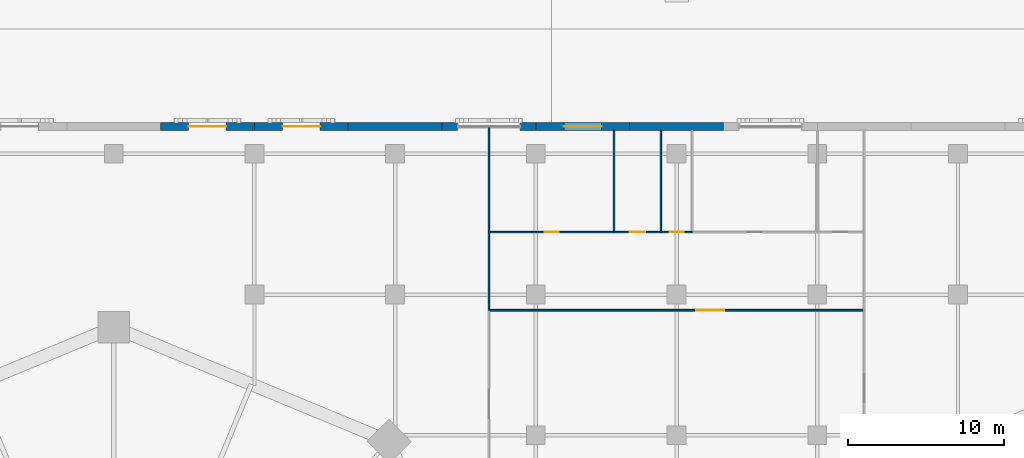
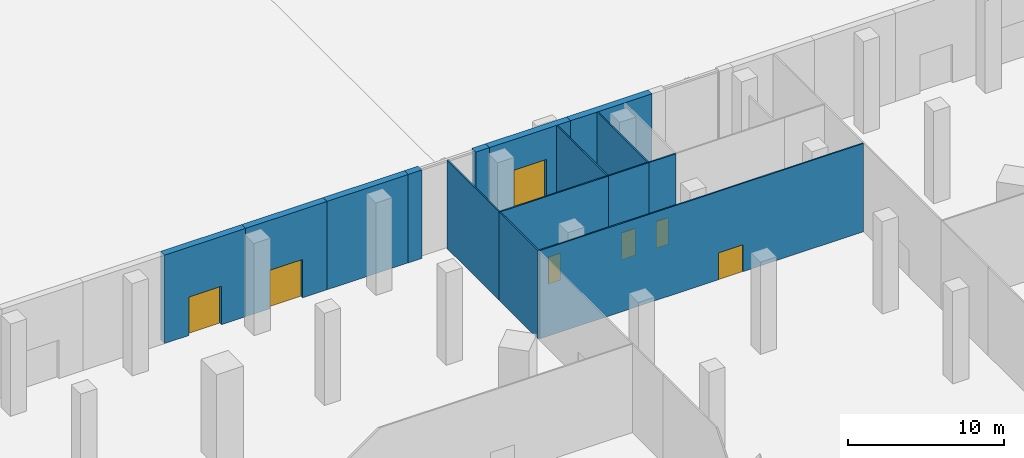
# One storey, part 26 of 48: 15 walls, 6 doors, 1 window, 7 openings.
"""IFC4 building model written with IfcOpenShell, lengths in metres."""

from ifc_helpers import new_model, si_unit, direction, frame, frame_2d, origin, place, context, subcontext, project, spatial, rectangle, extrude, material, layer, layer_set, type_object, element, fill, save


model = new_model("IFC4")

# Units and contexts
model_context = context("Model", 3, precision=1e-05, world=origin(), true_north=direction((0.0, 1.0)))
body_context = subcontext(model_context, "Body", "Model", "MODEL_VIEW")
ifc_project = project(units=[si_unit("LENGTHUNIT", "METRE"), si_unit("AREAUNIT", "SQUARE_METRE"), si_unit("VOLUMEUNIT", "CUBIC_METRE"), si_unit("PLANEANGLEUNIT", "RADIAN"), si_unit("MASSUNIT", "GRAM", prefix="KILO")], contexts=[model_context])

# Site, building, storey
site_placement = place(None, origin())
site = spatial("IfcSite", under=ifc_project, at=site_placement, CompositionType="ELEMENT")
building_placement = place(site_placement, origin())
building = spatial("IfcBuilding", under=site, at=building_placement, Name="Ogive Gate Towers", CompositionType="ELEMENT")
storey_placement = place(building_placement, origin())
storey = spatial("IfcBuildingStorey", under=building, at=storey_placement, Name="L00", CompositionType="ELEMENT", Elevation=0.0)

# Wall
ifc_material_1 = material(Name="Precast concrete C40/50", Category="concrete")
ifc_layer_1 = layer(ifc_material_1, 0.5)
ifc_layer_set_1 = layer_set([ifc_layer_1], Name="Arcade wall 500")
wall_type_1 = type_object("IfcWallType", Name="Arcade wall 500", PredefinedType="SOLIDWALL", material=ifc_layer_set_1)
wall_1_placement = place(storey_placement, frame((3.0, 37.75, 0.0), z_axis=(0.0, 0.0, 1.0), x_axis=(-1.0, 0.0, 0.0)))
element("IfcWall", 1, at=wall_1_placement, inside=storey, type_object=wall_type_1, Name="Podium wall", PredefinedType="SOLIDWALL", context=body_context, shape_type="SweptSolid", body=[
    extrude(rectangle(XDim=6.0, YDim=0.5, at=frame_2d((3.0, 0.0))), origin(), (0.0, 0.0, 1.0), 6.89990234375),
])

# Wall, opening, window
wall_2_placement = place(storey_placement, frame((-3.0, 37.75, 0.0), z_axis=(0.0, 0.0, 1.0), x_axis=(-1.0, 0.0, 0.0)))
wall_2 = element("IfcWall", 2, at=wall_2_placement, inside=storey, type_object=wall_type_1, Name="Podium wall", PredefinedType="SOLIDWALL", context=body_context, shape_type="SweptSolid", body=[
    extrude(rectangle(XDim=6.0, YDim=0.5, at=frame_2d((3.0, 0.0))), origin(), (0.0, 0.0, 1.0), 6.89990234375),
])
opening_1_placement = place(wall_2_placement, frame((1.800048828125, 0.0, 0.89990234375)))
opening_1 = element("IfcOpeningElement", 3, at=opening_1_placement, cuts=wall_2, Name="Opening WN4", PredefinedType="OPENING", context=body_context, shape_type="SweptSolid", body=[
    extrude(rectangle(XDim=2.39990234375, YDim=3.60009765625, at=frame_2d((1.199951171875, 1.800048828125))), frame((0.0, 0.260009765625, 0.0), z_axis=(0.0, -1.0, 0.0), x_axis=(1.0, 0.0, 0.0)), (0.0, 0.0, 1.0), 0.52001953125),
])
ifc_material_2 = material(Name="Clear glass", Category="glass")
window_type = type_object("IfcWindowType", Name="Arcade window 2400 x 3600", PartitioningType="SINGLE_PANEL", PredefinedType="WINDOW", material=ifc_material_2)
window_placement = place(opening_1_placement, origin())
window = element("IfcWindow", 4, at=window_placement, inside=storey, type_object=window_type, Name="Podium window", OverallHeight=3.60009765625, OverallWidth=2.39990234375, PartitioningType="SINGLE_PANEL", PredefinedType="WINDOW", context=body_context, shape_type="SweptSolid", body=[
    extrude(rectangle(XDim=2.39990234375, YDim=3.60009765625, at=frame_2d((1.199951171875, 1.800048828125))), frame((0.0, 0.030029296875, 0.0), z_axis=(0.0, -1.0, 0.0), x_axis=(1.0, 0.0, 0.0)), (0.0, 0.0, 1.0), 0.06005859375),
])
fill(opening_1, window)

# Walls
for number, where, z_axis, x_axis, name in (
    (5, (-9.0, 37.75, 0.0), (0.0, 0.0, 1.0), (-1.0, 0.0, 0.0), "Podium wall"),
    (6, (-14.0, 37.75, 0.0), (0.0, 0.0, 1.0), (-1.0, 0.0, 0.0), "Podium wall"),
):
    element("IfcWall", number, at=place(storey_placement, frame(where, z_axis=z_axis, x_axis=x_axis)), inside=storey, type_object=wall_type_1, Name=name, PredefinedType="SOLIDWALL", context=body_context, shape_type="SweptSolid", body=[
        extrude(rectangle(XDim=1.0, YDim=0.5, at=frame_2d((0.5, 0.0))), origin(), (0.0, 0.0, 1.0), 6.89990234375),
    ])
wall_3_placement = place(storey_placement, frame((-15.0, 37.75, 0.0), z_axis=(0.0, 0.0, 1.0), x_axis=(-1.0, 0.0, 0.0)))
element("IfcWall", 7, at=wall_3_placement, inside=storey, type_object=wall_type_1, Name="Podium wall", PredefinedType="SOLIDWALL", context=body_context, shape_type="SweptSolid", body=[
    extrude(rectangle(XDim=6.0, YDim=0.5, at=frame_2d((3.0, 0.0))), origin(), (0.0, 0.0, 1.0), 6.89990234375),
])

# Wall, opening, door
wall_4_placement = place(storey_placement, frame((-21.0, 37.75, 0.0), z_axis=(0.0, 0.0, 1.0), x_axis=(-1.0, 0.0, 0.0)))
wall_4 = element("IfcWall", 8, at=wall_4_placement, inside=storey, type_object=wall_type_1, Name="Podium wall", PredefinedType="SOLIDWALL", context=body_context, shape_type="SweptSolid", body=[
    extrude(rectangle(XDim=6.0, YDim=0.5, at=frame_2d((3.0, 0.0))), origin(), (0.0, 0.0, 1.0), 6.89990234375),
])
opening_2_placement = place(wall_4_placement, frame((1.800048828125, 0.0, 0.0)))
opening_2 = element("IfcOpeningElement", 9, at=opening_2_placement, cuts=wall_4, Name="Opening ED2-L00-07", PredefinedType="OPENING", context=body_context, shape_type="SweptSolid", body=[
    extrude(rectangle(XDim=2.39990234375, YDim=3.0, at=frame_2d((1.199951171875, 1.5))), frame((0.0, 0.260009765625, 0.0), z_axis=(0.0, -1.0, 0.0), x_axis=(1.0, 0.0, 0.0)), (0.0, 0.0, 1.0), 0.52001953125),
])
ifc_material_3 = material(Name="Pale metal aluminium", Category="aluminium")
door_type_1 = type_object("IfcDoorType", Name="Entrance door 2400 x 3000", OperationType="DOUBLE_DOOR_SINGLE_SWING", PredefinedType="DOOR", material=ifc_material_3)
door_1_placement = place(opening_2_placement, origin())
door_1 = element("IfcDoor", 10, at=door_1_placement, inside=storey, type_object=door_type_1, Name="Exterior door", OperationType="SINGLE_SWING_LEFT", OverallHeight=3.0, OverallWidth=2.39990234375, PredefinedType="DOOR", context=body_context, shape_type="SweptSolid", body=[
    extrude(rectangle(XDim=2.39990234375, YDim=3.0, at=frame_2d((1.199951171875, 1.5))), frame((0.0, 0.02490234375, 0.0), z_axis=(0.0, -1.0, 0.0), x_axis=(1.0, 0.0, 0.0)), (0.0, 0.0, 1.0), 0.050048828125),
])
fill(opening_2, door_1)

wall_5_placement = place(storey_placement, frame((-27.0, 37.75, 0.0), z_axis=(0.0, 0.0, 1.0), x_axis=(-1.0, 0.0, 0.0)))
wall_5 = element("IfcWall", 11, at=wall_5_placement, inside=storey, type_object=wall_type_1, Name="Podium wall", PredefinedType="SOLIDWALL", context=body_context, shape_type="SweptSolid", body=[
    extrude(rectangle(XDim=6.0, YDim=0.5, at=frame_2d((3.0, 0.0))), origin(), (0.0, 0.0, 1.0), 6.89990234375),
])
opening_3_placement = place(wall_5_placement, frame((1.800048828125, 0.0, 0.0)))
opening_3 = element("IfcOpeningElement", 12, at=opening_3_placement, cuts=wall_5, Name="Opening ED2-L00-08", PredefinedType="OPENING", context=body_context, shape_type="SweptSolid", body=[
    extrude(rectangle(XDim=2.39990234375, YDim=3.0, at=frame_2d((1.199951171875, 1.5))), frame((0.0, 0.260009765625, 0.0), z_axis=(0.0, -1.0, 0.0), x_axis=(1.0, 0.0, 0.0)), (0.0, 0.0, 1.0), 0.52001953125),
])
door_2_placement = place(opening_3_placement, origin())
door_2 = element("IfcDoor", 13, at=door_2_placement, inside=storey, type_object=door_type_1, Name="Exterior door", OperationType="SINGLE_SWING_LEFT", OverallHeight=3.0, OverallWidth=2.39990234375, PredefinedType="DOOR", context=body_context, shape_type="SweptSolid", body=[
    extrude(rectangle(XDim=2.39990234375, YDim=3.0, at=frame_2d((1.199951171875, 1.5))), frame((0.0, 0.02490234375, 0.0), z_axis=(0.0, -1.0, 0.0), x_axis=(1.0, 0.0, 0.0)), (0.0, 0.0, 1.0), 0.050048828125),
])
fill(opening_3, door_2)

ifc_material_4 = material(Name="Gypsum board partition")
ifc_layer_2 = layer(ifc_material_4, 0.10009765625)
ifc_layer_set_2 = layer_set([ifc_layer_2], Name="Partition wall 100")
wall_type_2 = type_object("IfcWallType", Name="Partition wall 100", PredefinedType="PARTITIONING", material=ifc_layer_set_2)
wall_6_placement = place(storey_placement, frame((-11.949951171875, 26.0, 0.0), z_axis=(0.0, 0.0, 1.0), x_axis=(1.0, 0.0, 0.0)))
wall_6 = element("IfcWall", 14, at=wall_6_placement, inside=storey, type_object=wall_type_2, Name="L00 partition 027", PredefinedType="PARTITIONING", context=body_context, shape_type="SweptSolid", body=[
    extrude(rectangle(XDim=23.89990234375, YDim=0.10009765625, at=frame_2d((11.949951171875, 0.0))), origin(), (0.0, 0.0, 1.0), 6.89990234375),
])
opening_4_placement = place(wall_6_placement, frame((13.199951171875, 0.0, 0.0)))
opening_4 = element("IfcOpeningElement", 15, at=opening_4_placement, cuts=wall_6, Name="Opening PO122", PredefinedType="OPENING", context=body_context, shape_type="SweptSolid", body=[
    extrude(rectangle(XDim=1.800048828125, YDim=2.10009765625, at=frame_2d((0.89990234375, 1.050048828125))), frame((0.0, 0.06005859375, 0.0), z_axis=(0.0, -1.0, 0.0), x_axis=(1.0, 0.0, 0.0)), (0.0, 0.0, 1.0), 0.1201171875),
])
ifc_material_5 = material(Name="Timber door", Category="wood")
door_type_2 = type_object("IfcDoorType", Name="Double door 1800 x 2100", OperationType="NOTDEFINED", PredefinedType="DOOR", material=ifc_material_5)
door_3_placement = place(opening_4_placement, origin())
door_3 = element("IfcDoor", 16, at=door_3_placement, inside=storey, type_object=door_type_2, Name="Door PO122", OperationType="DOUBLE_DOOR_DOUBLE_SWING", OverallHeight=2.10009765625, OverallWidth=1.800048828125, PredefinedType="DOOR", context=body_context, shape_type="SweptSolid", body=[
    extrude(rectangle(XDim=1.800048828125, YDim=2.10009765625, at=frame_2d((0.89990234375, 1.050048828125))), frame((0.0, 0.02490234375, 0.0), z_axis=(0.0, -1.0, 0.0), x_axis=(1.0, 0.0, 0.0)), (0.0, 0.0, 1.0), 0.050048828125),
])
fill(opening_4, door_3)

# Walls
wall_7_placement = place(storey_placement, frame((-12.0, 26.0, 0.0), z_axis=(0.0, 0.0, 1.0), x_axis=(0.0, 1.0, 0.0)))
element("IfcWall", 17, at=wall_7_placement, inside=storey, type_object=wall_type_2, Name="L00 partition 048", PredefinedType="PARTITIONING", context=body_context, shape_type="SweptSolid", body=[
    extrude(rectangle(XDim=5.0, YDim=0.10009765625, at=frame_2d((2.5, 0.0))), origin(), (0.0, 0.0, 1.0), 6.89990234375),
])
wall_8_placement = place(storey_placement, frame((-12.0, 31.0, 0.0), z_axis=(0.0, 0.0, 1.0), x_axis=(0.0, 1.0, 0.0)))
element("IfcWall", 18, at=wall_8_placement, inside=storey, type_object=wall_type_2, Name="L00 partition 049", PredefinedType="PARTITIONING", context=body_context, shape_type="SweptSolid", body=[
    extrude(rectangle(XDim=6.679931640625, YDim=0.10009765625, at=frame_2d((3.33984375, 0.0))), origin(), (0.0, 0.0, 1.0), 6.89990234375),
])

# Wall, opening, door
wall_9_placement = place(storey_placement, frame((-11.949951171875, 31.0, 0.0), z_axis=(0.0, 0.0, 1.0), x_axis=(1.0, 0.0, 0.0)))
wall_9 = element("IfcWall", 19, at=wall_9_placement, inside=storey, type_object=wall_type_2, Name="L00 partition 065", PredefinedType="PARTITIONING", context=body_context, shape_type="SweptSolid", body=[
    extrude(rectangle(XDim=7.949951171875, YDim=0.10009765625, at=frame_2d((3.97509765625, 0.0))), origin(), (0.0, 0.0, 1.0), 6.89990234375),
])
opening_5_placement = place(wall_9_placement, frame((3.52490234375, 0.0, 0.0)))
opening_5 = element("IfcOpeningElement", 20, at=opening_5_placement, cuts=wall_9, Name="Opening PO123", PredefinedType="OPENING", context=body_context, shape_type="SweptSolid", body=[
    extrude(rectangle(XDim=0.89990234375, YDim=2.10009765625, at=frame_2d((0.449951171875, 1.050048828125))), frame((0.0, 0.06005859375, 0.0), z_axis=(0.0, -1.0, 0.0), x_axis=(1.0, 0.0, 0.0)), (0.0, 0.0, 1.0), 0.1201171875),
])
door_type_3 = type_object("IfcDoorType", Name="Door 900 x 2100", OperationType="NOTDEFINED", PredefinedType="DOOR", material=ifc_material_5)
door_4_placement = place(opening_5_placement, origin())
door_4 = element("IfcDoor", 21, at=door_4_placement, inside=storey, type_object=door_type_3, Name="Door PO123", OperationType="SINGLE_SWING_LEFT", OverallHeight=2.10009765625, OverallWidth=0.89990234375, PredefinedType="DOOR", context=body_context, shape_type="SweptSolid", body=[
    extrude(rectangle(XDim=0.89990234375, YDim=2.10009765625, at=frame_2d((0.449951171875, 1.050048828125))), frame((0.0, 0.02490234375, 0.0), z_axis=(0.0, -1.0, 0.0), x_axis=(1.0, 0.0, 0.0)), (0.0, 0.0, 1.0), 0.050048828125),
])
fill(opening_5, door_4)

wall_10_placement = place(storey_placement, frame((-4.0, 31.0, 0.0), z_axis=(0.0, 0.0, 1.0), x_axis=(1.0, 0.0, 0.0)))
wall_10 = element("IfcWall", 22, at=wall_10_placement, inside=storey, type_object=wall_type_2, Name="L00 partition 066", PredefinedType="PARTITIONING", context=body_context, shape_type="SweptSolid", body=[
    extrude(rectangle(XDim=3.0, YDim=0.10009765625, at=frame_2d((1.5, 0.0))), origin(), (0.0, 0.0, 1.0), 6.89990234375),
])
opening_6_placement = place(wall_10_placement, frame((1.0, 0.0, 0.0)))
opening_6 = element("IfcOpeningElement", 23, at=opening_6_placement, cuts=wall_10, Name="Opening PO124", PredefinedType="OPENING", context=body_context, shape_type="SweptSolid", body=[
    extrude(rectangle(XDim=1.0, YDim=2.10009765625, at=frame_2d((0.5, 1.050048828125))), frame((0.0, 0.06005859375, 0.0), z_axis=(0.0, -1.0, 0.0), x_axis=(1.0, 0.0, 0.0)), (0.0, 0.0, 1.0), 0.1201171875),
])
door_type_4 = type_object("IfcDoorType", Name="Door 1000 x 2100", OperationType="NOTDEFINED", PredefinedType="DOOR", material=ifc_material_5)
door_5_placement = place(opening_6_placement, origin())
door_5 = element("IfcDoor", 24, at=door_5_placement, inside=storey, type_object=door_type_4, Name="Door PO124", OperationType="SINGLE_SWING_RIGHT", OverallHeight=2.10009765625, OverallWidth=1.0, PredefinedType="DOOR", context=body_context, shape_type="SweptSolid", body=[
    extrude(rectangle(XDim=1.0, YDim=2.10009765625, at=frame_2d((0.5, 1.050048828125))), frame((0.0, 0.02490234375, 0.0), z_axis=(0.0, -1.0, 0.0), x_axis=(1.0, 0.0, 0.0)), (0.0, 0.0, 1.0), 0.050048828125),
])
fill(opening_6, door_5)

wall_11_placement = place(storey_placement, frame((-1.0, 31.0, 0.0), z_axis=(0.0, 0.0, 1.0), x_axis=(1.0, 0.0, 0.0)))
wall_11 = element("IfcWall", 25, at=wall_11_placement, inside=storey, type_object=wall_type_2, Name="L00 partition 067", PredefinedType="PARTITIONING", context=body_context, shape_type="SweptSolid", body=[
    extrude(rectangle(XDim=2.0, YDim=0.10009765625, at=frame_2d((1.0, 0.0))), origin(), (0.0, 0.0, 1.0), 6.89990234375),
])
opening_7_placement = place(wall_11_placement, frame((0.550048828125, 0.0, 0.0)))
opening_7 = element("IfcOpeningElement", 26, at=opening_7_placement, cuts=wall_11, Name="Opening PO125", PredefinedType="OPENING", context=body_context, shape_type="SweptSolid", body=[
    extrude(rectangle(XDim=0.89990234375, YDim=2.10009765625, at=frame_2d((0.449951171875, 1.050048828125))), frame((0.0, 0.06005859375, 0.0), z_axis=(0.0, -1.0, 0.0), x_axis=(1.0, 0.0, 0.0)), (0.0, 0.0, 1.0), 0.1201171875),
])
door_6_placement = place(opening_7_placement, origin())
door_6 = element("IfcDoor", 27, at=door_6_placement, inside=storey, type_object=door_type_3, Name="Door PO125", OperationType="SINGLE_SWING_LEFT", OverallHeight=2.10009765625, OverallWidth=0.89990234375, PredefinedType="DOOR", context=body_context, shape_type="SweptSolid", body=[
    extrude(rectangle(XDim=0.89990234375, YDim=2.10009765625, at=frame_2d((0.449951171875, 1.050048828125))), frame((0.0, 0.02490234375, 0.0), z_axis=(0.0, -1.0, 0.0), x_axis=(1.0, 0.0, 0.0)), (0.0, 0.0, 1.0), 0.050048828125),
])
fill(opening_7, door_6)

# Walls
for number, where, z_axis, x_axis, name in (
    (28, (-4.0, 31.050048828125, 0.0), (0.0, 0.0, 1.0), (0.0, 1.0, 0.0), "L00 partition 070"),
    (29, (-1.0, 31.050048828125, 0.0), (0.0, 0.0, 1.0), (0.0, 1.0, 0.0), "L00 partition 071"),
):
    element("IfcWall", number, at=place(storey_placement, frame(where, z_axis=z_axis, x_axis=x_axis)), inside=storey, type_object=wall_type_2, Name=name, PredefinedType="PARTITIONING", context=body_context, shape_type="SweptSolid", body=[
        extrude(rectangle(XDim=6.449951171875, YDim=0.10009765625, at=frame_2d((3.22509765625, 0.0))), origin(), (0.0, 0.0, 1.0), 6.89990234375),
    ])

save(model, "model.ifc")
